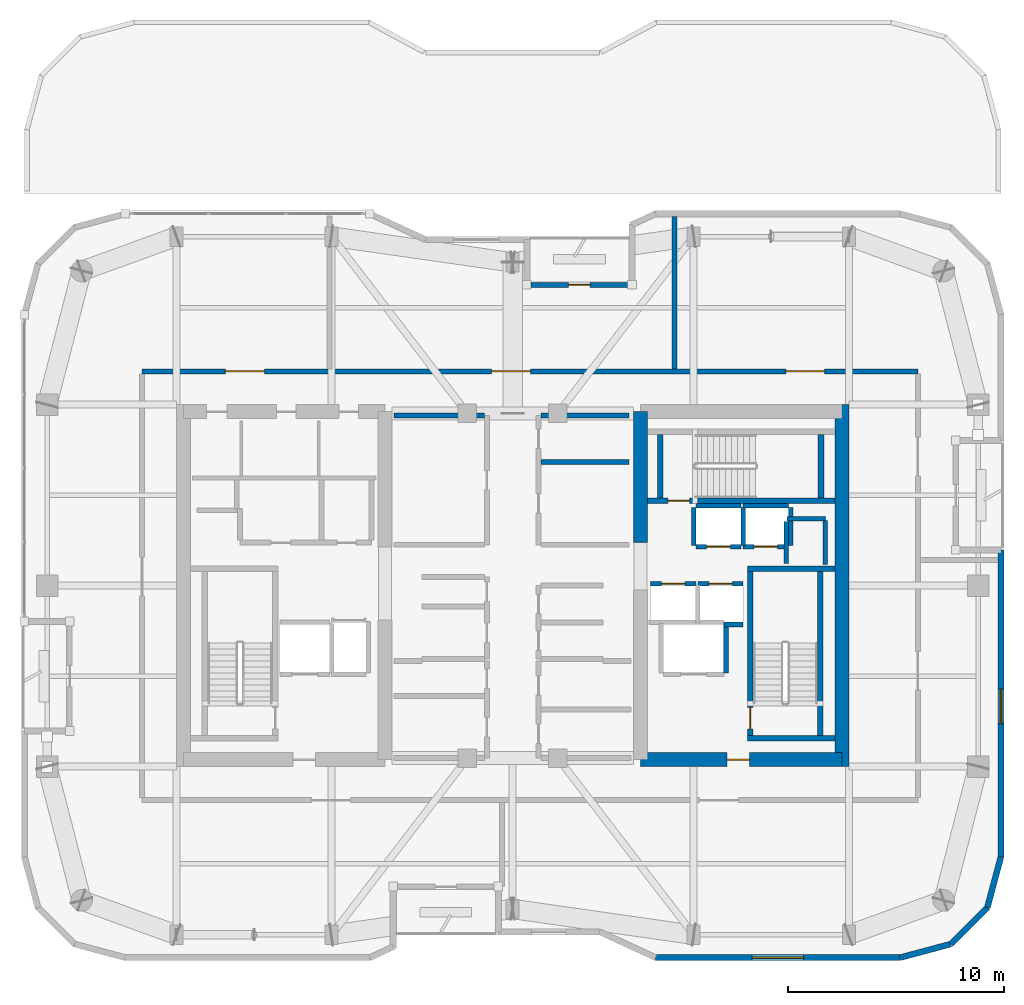
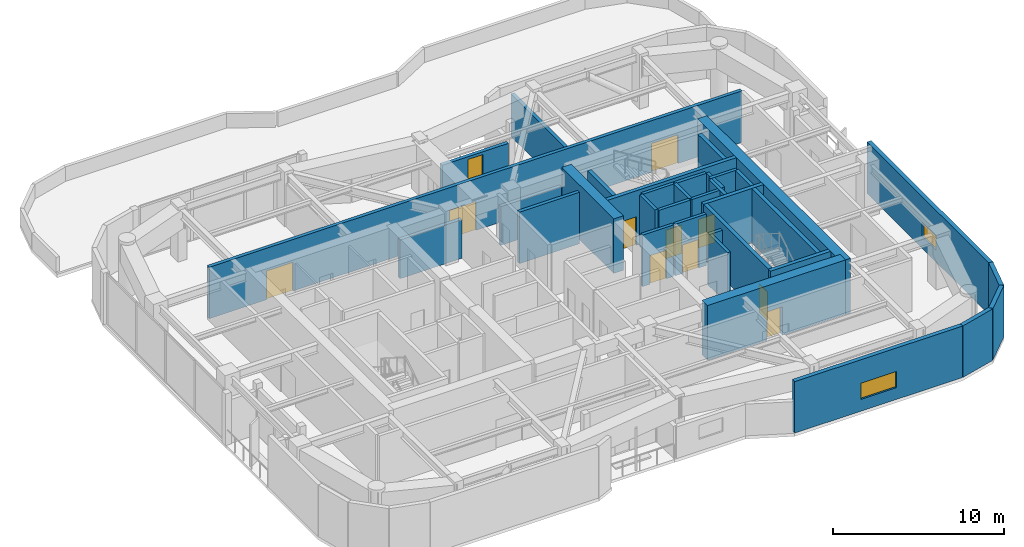
# One storey, part 12 of 16: 35 walls, 11 doors, 2 windows, 13 openings.
"""IFC4 building model written with IfcOpenShell, lengths in metres."""

import ifcopenshell
import ifcopenshell.guid

model = None  # the IFC model being written
_history = None  # IfcOwnerHistory: only IFC2X3 demands one
_inside = {}  # id of a spatial element -> (the spatial element, [elements in it])
_under = {}  # id of a project, library or spatial element -> (it, [spatial elements below it])
_declared = {}  # id of a project -> (the project, [libraries it declares])
_typed = {}  # id of a type object -> (the type object, [elements of that type])
_made_of = {}  # id of a material, layer set ... -> (it, [elements and type objects made of it])


def new_model(schema):
    """Start an empty IFC model of exactly this schema.

    Asked for "IFC4X3", IfcOpenShell would pick the latest addendum, in which some entities
    have other attributes; the version numbers below select the first issue.
    IFC2X3 requires an IfcOwnerHistory on every rooted entity: one is made here for all.
    """
    global model, _history
    if schema == "IFC4X3":
        model = ifcopenshell.file(schema_version=(4, 3, 0, 0))
    else:
        model = ifcopenshell.file(schema=schema)
    _inside.clear()
    _under.clear()
    _declared.clear()
    _typed.clear()
    _made_of.clear()
    _history = None
    if model.schema == "IFC2X3":
        org = make("IfcOrganization", Name="unknown")
        user = make(
            "IfcPersonAndOrganization",
            ThePerson=make("IfcPerson", FamilyName="unknown"),
            TheOrganization=org,
        )
        app = make(
            "IfcApplication",
            ApplicationDeveloper=org,
            Version="unknown",
            ApplicationFullName="unknown",
            ApplicationIdentifier="unknown",
        )
        _history = make(
            "IfcOwnerHistory",
            OwningUser=user,
            OwningApplication=app,
            ChangeAction="ADDED",
            CreationDate=0,
        )
    return model


def make(cls, **values):
    """One entity of the class cls with the attributes given. An attribute that is None is left unset."""
    return model.create_entity(
        cls, **{name: value for name, value in values.items() if value is not None}
    )


def rooted(cls, **values):
    """An entity with a GlobalId (a new one), such as an element, a storey or a relation."""
    return make(cls, GlobalId=ifcopenshell.guid.new(), OwnerHistory=_history, **values)


def si_unit(unit_type, name, prefix=None):
    """IfcSIUnit, for example si_unit("LENGTHUNIT", "METRE", prefix="MILLI")."""
    return make("IfcSIUnit", UnitType=unit_type, Prefix=prefix, Name=name)


def assignment(units):
    """IfcUnitAssignment: the units of a project."""
    return None if units is None else make("IfcUnitAssignment", Units=units)


def point(xyz):
    """IfcCartesianPoint."""
    return None if xyz is None else make("IfcCartesianPoint", Coordinates=xyz)


def direction(xyz):
    """IfcDirection."""
    return None if xyz is None else make("IfcDirection", DirectionRatios=xyz)


def frame(location, z_axis=None, x_axis=None):
    """IfcAxis2Placement3D, a coordinate frame: its origin and axes. An axis left out is left unset."""
    return make(
        "IfcAxis2Placement3D",
        Location=point(location),
        Axis=direction(z_axis),
        RefDirection=direction(x_axis),
    )


def frame_2d(location, x_axis=None):
    """IfcAxis2Placement2D, a coordinate frame in the plane: its origin and x axis."""
    return make(
        "IfcAxis2Placement2D", Location=point(location), RefDirection=direction(x_axis)
    )


def origin():
    """The frame at (0, 0, 0) with its axes left unset."""
    return frame((0.0, 0.0, 0.0))


def place(relative_to, where):
    """IfcLocalPlacement: puts the frame where relative to a parent placement (None: the world)."""
    return make(
        "IfcLocalPlacement", PlacementRelTo=relative_to, RelativePlacement=where
    )


def context(
    kind, dimensions, precision=None, world=None, true_north=None, identifier=None
):
    """IfcGeometricRepresentationContext, for example the 3D "Model" context."""
    return make(
        "IfcGeometricRepresentationContext",
        ContextIdentifier=identifier,
        ContextType=kind,
        CoordinateSpaceDimension=dimensions,
        Precision=precision,
        WorldCoordinateSystem=world,
        TrueNorth=true_north,
    )


def subcontext(parent, identifier, kind, view, scale=None):
    """IfcGeometricRepresentationSubContext, for example "Body" below "Model"."""
    return make(
        "IfcGeometricRepresentationSubContext",
        ContextIdentifier=identifier,
        ContextType=kind,
        ParentContext=parent,
        TargetScale=scale,
        TargetView=view,
    )


def project(units=None, contexts=None):
    """IfcProject with its units and contexts."""
    return rooted(
        "IfcProject",
        Name="project",
        RepresentationContexts=contexts,
        UnitsInContext=assignment(units),
    )


def spatial(cls, under=None, at=None, **own):
    """A site, building, storey or space (cls), placed at a placement, below another one or the project."""
    s = rooted(cls, ObjectPlacement=at, **own)
    if under is not None:
        _under.setdefault(under.id(), (under, []))[1].append(s)
    return s


def profile(cls, at=None, kind="AREA", **sizes):
    """A parametric profile (cls). Its sizes go by their IFC names, for example OverallWidth=200.0."""
    return make(cls, ProfileType=kind, Position=at, **sizes)


def rectangle(**sizes):
    """IfcRectangleProfileDef."""
    return profile("IfcRectangleProfileDef", **sizes)


def extrude(swept, where, along, depth):
    """IfcExtrudedAreaSolid: the profile swept, set in the frame where, extruded along a direction by depth."""
    return make(
        "IfcExtrudedAreaSolid",
        SweptArea=swept,
        Position=where,
        ExtrudedDirection=direction(along),
        Depth=depth,
    )


def shape(context_of_items, identifier, shape_type, items):
    """IfcShapeRepresentation: the items that make up one representation, for example the "Body"."""
    return make(
        "IfcShapeRepresentation",
        ContextOfItems=context_of_items,
        RepresentationIdentifier=identifier,
        RepresentationType=shape_type,
        Items=items,
    )


def material(Name=None, Category=None):
    """IfcMaterial."""
    return make("IfcMaterial", Name=Name, Category=Category)


def layer(
    of_material, thickness, ventilated=None, Name=None, Category=None, Priority=None
):
    """IfcMaterialLayer: one layer of a wall or slab, of a material (None: an air gap)."""
    return make(
        "IfcMaterialLayer",
        Material=of_material,
        LayerThickness=thickness,
        IsVentilated=ventilated,
        Name=Name,
        Category=Category,
        Priority=Priority,
    )


def layer_set(layers, Name=None):
    """IfcMaterialLayerSet."""
    return make("IfcMaterialLayerSet", MaterialLayers=layers, LayerSetName=Name)


def made_of(thing, what):
    """Note that an element or type object is made of a material, layer set ...; save() writes the relation."""
    if what is not None:
        _made_of.setdefault(what.id(), (what, []))[1].append(thing)
    return thing


def type_object(cls, material=None, **own):
    """A type object (cls), such as IfcWallType, which elements share."""
    return made_of(rooted(cls, **own), material)


def element(
    cls,
    number,
    at=None,
    inside=None,
    cuts=None,
    type_object=None,
    material=None,
    context=None,
    identifier="Body",
    shape_type=None,
    held_by="IfcProductDefinitionShape",
    body=None,
    shapes=None,
    **own,
):
    """One element of the class cls, such as IfcWall. Its Tag is "e" and its number.

    at: its placement. inside: the storey or other place that contains it. cuts: it is an
    opening in that element (IfcRelVoidsElement). A single representation is given by context,
    identifier, shape_type and body (its items); several are given by shapes. held_by: the class
    of the entity that holds the representations. save() writes the other relations.
    """
    e = rooted(cls, Tag="e%d" % number, ObjectPlacement=at, **own)
    if body is not None:
        shapes = [shape(context, identifier, shape_type, body)]
    if shapes is not None:
        e.Representation = make(held_by, Representations=shapes)
    if inside is not None:
        _inside.setdefault(inside.id(), (inside, []))[1].append(e)
    if cuts is not None:
        rooted(
            "IfcRelVoidsElement", RelatingBuildingElement=cuts, RelatedOpeningElement=e
        )
    if type_object is not None:
        _typed.setdefault(type_object.id(), (type_object, []))[1].append(e)
    return made_of(e, material)


def fill(opening, filler):
    """IfcRelFillsElement: the door or window that sits in an opening."""
    return rooted(
        "IfcRelFillsElement",
        RelatingOpeningElement=opening,
        RelatedBuildingElement=filler,
    )


def aggregate(whole, parts):
    """IfcRelAggregates: a whole, such as a stair, and the parts it consists of."""
    return rooted("IfcRelAggregates", RelatingObject=whole, RelatedObjects=parts)


def save(model, path):
    """Write the relations noted so far, then the file.

    IfcRelAggregates (storeys below a building ...), IfcRelContainedInSpatialStructure (elements
    in a storey), IfcRelDefinesByType, IfcRelAssociatesMaterial and IfcRelDeclares: one each for
    every whole, place, type object, material and project.
    """
    for whole, parts in _under.values():
        aggregate(whole, parts)
    for where, things in _inside.values():
        rooted(
            "IfcRelContainedInSpatialStructure",
            RelatedElements=things,
            RelatingStructure=where,
        )
    for kind, things in _typed.values():
        rooted("IfcRelDefinesByType", RelatedObjects=things, RelatingType=kind)
    for what, things in _made_of.values():
        rooted("IfcRelAssociatesMaterial", RelatedObjects=things, RelatingMaterial=what)
    for by, libraries in _declared.values():
        rooted("IfcRelDeclares", RelatingContext=by, RelatedDefinitions=libraries)
    model.write(path)


model = new_model("IFC4")

# Units and contexts
model_context = context("Model", 3, precision=1e-05, world=origin(), true_north=direction((0.0, 1.0)))
body_context = subcontext(model_context, "Body", "Model", "MODEL_VIEW")
ifc_project = project(units=[si_unit("LENGTHUNIT", "METRE"), si_unit("AREAUNIT", "SQUARE_METRE"), si_unit("VOLUMEUNIT", "CUBIC_METRE"), si_unit("PLANEANGLEUNIT", "RADIAN"), si_unit("MASSUNIT", "GRAM", prefix="KILO")], contexts=[model_context])

# Site, building, storey
site_placement = place(None, origin())
site = spatial("IfcSite", under=ifc_project, at=site_placement, CompositionType="ELEMENT")
building_placement = place(site_placement, origin())
building = spatial("IfcBuilding", under=site, at=building_placement, Name="Kiyonajd Concourse Tower", CompositionType="ELEMENT")
storey_placement = place(building_placement, frame((0.0, 0.0, 255.0)))
storey = spatial("IfcBuildingStorey", under=building, at=storey_placement, Name="L64", CompositionType="ELEMENT", Elevation=255.0)

# Walls
ifc_material_1 = material(Name="Concrete C60/75", Category="concrete")
ifc_layer_1 = layer(ifc_material_1, 0.64990234375)
ifc_layer_set_1 = layer_set([ifc_layer_1], Name="Concrete C60/75")
wall_type_1 = type_object("IfcWallType", Name="WL-CORE-650", PredefinedType="SHEAR", material=ifc_layer_set_1)
wall_1_placement = place(storey_placement, frame((53.925048828125, 38.0, 0.0), z_axis=(0.0, 0.0, 1.0), x_axis=(0.0, 1.0, 0.0)))
element("IfcWall", 1, at=wall_1_placement, inside=storey, type_object=wall_type_1, Name="L64 East Core Inner North Shear Wall", PredefinedType="SHEAR", context=body_context, shape_type="SweptSolid", body=[
    extrude(rectangle(XDim=6.074951171875, YDim=0.64990234375, at=frame_2d((3.03759765625, 0.0))), origin(), (0.0, 0.0, 1.0), 3.89990234375),
])
wall_2_placement = place(storey_placement, frame((63.27490234375, 27.60009765625, 0.0), z_axis=(0.0, 0.0, 1.0), x_axis=(0.0, 1.0, 0.0)))
element("IfcWall", 2, at=wall_2_placement, inside=storey, type_object=wall_type_1, Name="L64 East Core Outer Shear Wall", PredefinedType="SHEAR", context=body_context, shape_type="SweptSolid", body=[
    extrude(rectangle(XDim=16.7998046875, YDim=0.64990234375, at=frame_2d((8.39990234375, 0.0))), origin(), (0.0, 0.0, 1.0), 3.89990234375),
])

# Wall, opening, door
wall_3_placement = place(storey_placement, frame((53.925048828125, 27.925048828125, 0.0), z_axis=(0.0, 0.0, 1.0), x_axis=(1.0, 0.0, 0.0)))
wall_3 = element("IfcWall", 3, at=wall_3_placement, inside=storey, type_object=wall_type_1, Name="L64 East Core South Shear Wall", PredefinedType="SHEAR", context=body_context, shape_type="SweptSolid", body=[
    extrude(rectangle(XDim=9.349853515625, YDim=0.64990234375, at=frame_2d((4.6748046875, 0.0))), origin(), (0.0, 0.0, 1.0), 3.89990234375),
])
opening_1_placement = place(wall_3_placement, frame((4.02490234375, 0.0, 0.0)))
opening_1 = element("IfcOpeningElement", 4, at=opening_1_placement, cuts=wall_3, Name="Opening DF5", PredefinedType="OPENING", context=body_context, shape_type="SweptSolid", body=[
    extrude(rectangle(XDim=1.050048828125, YDim=2.0400390625, at=frame_2d((0.52490234375, 1.02001953125))), frame((0.0, 0.3349609375, 0.0), z_axis=(0.0, -1.0, 0.0), x_axis=(1.0, 0.0, 0.0)), (0.0, 0.0, 1.0), 0.669921875),
])
ifc_material_2 = material(Name="Brushed Stainless Steel Cab Assembly", Category="steel")
door_type_1 = type_object("IfcDoorType", Name="DR-FD45-1050", OperationType="NOTDEFINED", PredefinedType="DOOR", material=ifc_material_2)
door_1_placement = place(opening_1_placement, origin())
door_1 = element("IfcDoor", 5, at=door_1_placement, inside=storey, type_object=door_type_1, Name="L64 Firefighting Lift Lobby E Smoke Door", OperationType="SINGLE_SWING_RIGHT", OverallHeight=2.0400390625, OverallWidth=1.050048828125, PredefinedType="DOOR", context=body_context, shape_type="SweptSolid", body=[
    extrude(rectangle(XDim=1.050048828125, YDim=2.0400390625, at=frame_2d((0.52490234375, 1.02001953125))), frame((0.0, 0.02490234375, 0.0), z_axis=(0.0, -1.0, 0.0), x_axis=(1.0, 0.0, 0.0)), (0.0, 0.0, 1.0), 0.050048828125),
])
fill(opening_1, door_1)

# Wall, opening, window
ifc_material_3 = material(Name="Precast concrete C50/60", Category="concrete")
ifc_layer_2 = layer(ifc_material_3, 0.280029296875)
ifc_layer_set_2 = layer_set([ifc_layer_2], Name="Precast concrete C50/60")
wall_type_2 = type_object("IfcWallType", Name="WL-EXT-280", PredefinedType="SOLIDWALL", material=ifc_layer_set_2)
wall_4_placement = place(storey_placement, frame((70.659912109375, 37.659912109375, 0.0), z_axis=(0.0, 0.0, 1.0), x_axis=(0.0, -1.0, 0.0)))
wall_4 = element("IfcWall", 6, at=wall_4_placement, inside=storey, type_object=wall_type_2, Name="L64 Exterior Concrete Frame Wall 24", PredefinedType="SOLIDWALL", context=body_context, shape_type="SweptSolid", body=[
    extrude(rectangle(XDim=14.241455078125, YDim=0.280029296875, at=frame_2d((7.12060546875, 0.0))), origin(), (0.0, 0.0, 1.0), 3.679931640625),
])
opening_2_placement = place(wall_4_placement, frame((6.4560546875, 0.0, 0.85009765625)))
opening_2 = element("IfcOpeningElement", 7, at=opening_2_placement, cuts=wall_4, Name="Opening WN6", PredefinedType="OPENING", context=body_context, shape_type="SweptSolid", body=[
    extrude(rectangle(XDim=1.60009765625, YDim=1.0, at=frame_2d((0.800048828125, 0.5))), frame((0.0, 0.14990234375, 0.0), z_axis=(0.0, -1.0, 0.0), x_axis=(1.0, 0.0, 0.0)), (0.0, 0.0, 1.0), 0.300048828125),
])
ifc_material_4 = material(Name="Double Low-E Insulated Glass", Category="glass")
window_type_1 = type_object("IfcWindowType", Name="WN-VIS-1600x1000", PartitioningType="SINGLE_PANEL", PredefinedType="WINDOW", material=ifc_material_4)
window_1_placement = place(opening_2_placement, origin())
window_1 = element("IfcWindow", 8, at=window_1_placement, inside=storey, type_object=window_type_1, Name="L64 Modular Facade Vision Window 24", OverallHeight=1.0, OverallWidth=1.60009765625, PartitioningType="SINGLE_PANEL", PredefinedType="WINDOW", context=body_context, shape_type="SweptSolid", body=[
    extrude(rectangle(XDim=1.60009765625, YDim=1.0, at=frame_2d((0.800048828125, 0.5))), frame((0.0, 0.030029296875, 0.0), z_axis=(0.0, -1.0, 0.0), x_axis=(1.0, 0.0, 0.0)), (0.0, 0.0, 1.0), 0.06005859375),
])
fill(opening_2, window_1)

# Walls
wall_5_placement = place(storey_placement, frame((70.659912109375, 23.41845703125, 0.0), z_axis=(0.0, 0.0, 1.0), x_axis=(-0.258751159445, -0.965944013639, 0.0)))
element("IfcWall", 9, at=wall_5_placement, inside=storey, type_object=wall_type_2, Name="L64 Exterior Concrete Frame Wall 25", PredefinedType="SOLIDWALL", context=body_context, shape_type="SweptSolid", body=[
    extrude(rectangle(XDim=2.4287109375, YDim=0.280029296875, at=frame_2d((1.21435546875, 0.0))), origin(), (0.0, 0.0, 1.0), 3.679931640625),
])
wall_6_placement = place(storey_placement, frame((70.031494140625, 21.072509765625, 0.0), z_axis=(0.0, 0.0, 1.0), x_axis=(-0.707106781187, -0.707106781187, 0.0)))
element("IfcWall", 10, at=wall_6_placement, inside=storey, type_object=wall_type_2, Name="L64 Exterior Concrete Frame Wall 26", PredefinedType="SOLIDWALL", context=body_context, shape_type="SweptSolid", body=[
    extrude(rectangle(XDim=2.409912109375, YDim=0.280029296875, at=frame_2d((1.205078125, 0.0))), origin(), (0.0, 0.0, 1.0), 3.679931640625),
])
wall_7_placement = place(storey_placement, frame((68.327392578125, 19.368408203125, 0.0), z_axis=(0.0, 0.0, 1.0), x_axis=(-0.965937282298, -0.25877628691, 0.0)))
element("IfcWall", 11, at=wall_7_placement, inside=storey, type_object=wall_type_2, Name="L64 Exterior Concrete Frame Wall 27", PredefinedType="SOLIDWALL", context=body_context, shape_type="SweptSolid", body=[
    extrude(rectangle(XDim=2.428466796875, YDim=0.280029296875, at=frame_2d((1.21435546875, 0.0))), origin(), (0.0, 0.0, 1.0), 3.679931640625),
])

# Wall, opening, window
wall_8_placement = place(storey_placement, frame((65.981689453125, 18.739990234375, 0.0), z_axis=(0.0, 0.0, 1.0), x_axis=(-1.0, 0.0, 0.0)))
wall_8 = element("IfcWall", 12, at=wall_8_placement, inside=storey, type_object=wall_type_2, Name="L64 Exterior Concrete Frame Wall 28", PredefinedType="SOLIDWALL", context=body_context, shape_type="SweptSolid", body=[
    extrude(rectangle(XDim=11.35107421875, YDim=0.280029296875, at=frame_2d((5.675537109375, 0.0))), origin(), (0.0, 0.0, 1.0), 3.679931640625),
])
opening_3_placement = place(wall_8_placement, frame((4.47509765625, 0.0, 0.85009765625)))
opening_3 = element("IfcOpeningElement", 13, at=opening_3_placement, cuts=wall_8, Name="Opening WN4", PredefinedType="OPENING", context=body_context, shape_type="SweptSolid", body=[
    extrude(rectangle(XDim=2.39990234375, YDim=1.14990234375, at=frame_2d((1.199951171875, 0.574951171875))), frame((0.0, 0.14990234375, 0.0), z_axis=(0.0, -1.0, 0.0), x_axis=(1.0, 0.0, 0.0)), (0.0, 0.0, 1.0), 0.300048828125),
])
window_type_2 = type_object("IfcWindowType", Name="WN-VIS-2400x1150", PartitioningType="SINGLE_PANEL", PredefinedType="WINDOW", material=ifc_material_4)
window_2_placement = place(opening_3_placement, origin())
window_2 = element("IfcWindow", 14, at=window_2_placement, inside=storey, type_object=window_type_2, Name="L64 Modular Facade Vision Window 28", OverallHeight=1.14990234375, OverallWidth=2.39990234375, PartitioningType="SINGLE_PANEL", PredefinedType="WINDOW", context=body_context, shape_type="SweptSolid", body=[
    extrude(rectangle(XDim=2.39990234375, YDim=1.14990234375, at=frame_2d((1.199951171875, 0.574951171875))), frame((0.0, 0.030029296875, 0.0), z_axis=(0.0, -1.0, 0.0), x_axis=(1.0, 0.0, 0.0)), (0.0, 0.0, 1.0), 0.06005859375),
])
fill(opening_3, window_2)

# Walls
ifc_material_5 = material(Name="Gypsum Board on Cold-Formed Steel Stud", Category="steel")
ifc_layer_3 = layer(ifc_material_5, 0.22998046875)
ifc_layer_set_3 = layer_set([ifc_layer_3], Name="Gypsum Board on Cold-Formed Steel Stud")
wall_type_3 = type_object("IfcWallType", Name="WL-FIRE-230", PredefinedType="PARTITIONING", material=ifc_layer_set_3)
wall_9_placement = place(storey_placement, frame((42.5, 43.89990234375, 0.0), z_axis=(0.0, 0.0, 1.0), x_axis=(1.0, 0.0, 0.0)))
element("IfcWall", 15, at=wall_9_placement, inside=storey, type_object=wall_type_3, Name="L64 Interior Partition Wall", PredefinedType="PARTITIONING", context=body_context, shape_type="SweptSolid", body=[
    extrude(rectangle(XDim=4.18310546875, YDim=0.22998046875, at=frame_2d((2.091552734375, 0.0))), origin(), (0.0, 0.0, 1.0), 2.764892578125),
])
wall_10_placement = place(storey_placement, frame((49.31689453125, 43.89990234375, 0.0), z_axis=(0.0, 0.0, 1.0), x_axis=(1.0, 0.0, 0.0)))
element("IfcWall", 16, at=wall_10_placement, inside=storey, type_object=wall_type_3, Name="L64 Interior Partition Wall", PredefinedType="PARTITIONING", context=body_context, shape_type="SweptSolid", body=[
    extrude(rectangle(XDim=4.0830078125, YDim=0.22998046875, at=frame_2d((2.04150390625, 0.0))), origin(), (0.0, 0.0, 1.0), 2.764892578125),
])
wall_11_placement = place(storey_placement, frame((49.31689453125, 41.739990234375, 0.0), z_axis=(0.0, 0.0, 1.0), x_axis=(1.0, 0.0, 0.0)))
element("IfcWall", 17, at=wall_11_placement, inside=storey, type_object=wall_type_3, Name="L64 Interior Partition Wall", PredefinedType="PARTITIONING", context=body_context, shape_type="SweptSolid", body=[
    extrude(rectangle(XDim=4.0830078125, YDim=0.22998046875, at=frame_2d((2.04150390625, 0.0))), origin(), (0.0, 0.0, 1.0), 3.679931640625),
])

# Wall, openings, doors
wall_12_placement = place(storey_placement, frame((30.800048828125, 45.949951171875, 0.0), z_axis=(0.0, 0.0, 1.0), x_axis=(1.0, 0.0, 0.0)))
wall_12 = element("IfcWall", 18, at=wall_12_placement, inside=storey, type_object=wall_type_3, Name="L64 Interior Partition Wall", PredefinedType="PARTITIONING", context=body_context, shape_type="SweptSolid", body=[
    extrude(rectangle(XDim=36.0, YDim=0.22998046875, at=frame_2d((18.0, 0.0))), origin(), (0.0, 0.0, 1.0), 3.679931640625),
])
opening_4_placement = place(wall_12_placement, frame((3.875, 0.0, 0.0)))
opening_4 = element("IfcOpeningElement", 19, at=opening_4_placement, cuts=wall_12, Name="Opening DI3", PredefinedType="OPENING", context=body_context, shape_type="SweptSolid", body=[
    extrude(rectangle(XDim=1.800048828125, YDim=2.06005859375, at=frame_2d((0.89990234375, 1.030029296875))), frame((0.0, 0.125, 0.0), z_axis=(0.0, -1.0, 0.0), x_axis=(1.0, 0.0, 0.0)), (0.0, 0.0, 1.0), 0.25),
])
opening_5_placement = place(wall_12_placement, frame((16.22509765625, 0.0, 0.0)))
opening_5 = element("IfcOpeningElement", 20, at=opening_5_placement, cuts=wall_12, Name="Opening DI3", PredefinedType="OPENING", context=body_context, shape_type="SweptSolid", body=[
    extrude(rectangle(XDim=1.800048828125, YDim=2.06005859375, at=frame_2d((0.89990234375, 1.030029296875))), frame((0.0, 0.125, 0.0), z_axis=(0.0, -1.0, 0.0), x_axis=(1.0, 0.0, 0.0)), (0.0, 0.0, 1.0), 0.25),
])
opening_6_placement = place(wall_12_placement, frame((29.875, 0.0, 0.0)))
opening_6 = element("IfcOpeningElement", 21, at=opening_6_placement, cuts=wall_12, Name="Opening DI3", PredefinedType="OPENING", context=body_context, shape_type="SweptSolid", body=[
    extrude(rectangle(XDim=1.800048828125, YDim=2.06005859375, at=frame_2d((0.89990234375, 1.030029296875))), frame((0.0, 0.125, 0.0), z_axis=(0.0, -1.0, 0.0), x_axis=(1.0, 0.0, 0.0)), (0.0, 0.0, 1.0), 0.25),
])
door_type_2 = type_object("IfcDoorType", Name="DR-PAIR-1800", OperationType="DOUBLE_DOOR_SINGLE_SWING", PredefinedType="DOOR", material=ifc_material_2)
door_2_placement = place(opening_4_placement, origin())
door_2 = element("IfcDoor", 22, at=door_2_placement, inside=storey, type_object=door_type_2, Name="L64 Interior Door", OperationType="DOUBLE_DOOR_SINGLE_SWING", OverallHeight=2.06005859375, OverallWidth=1.800048828125, PredefinedType="DOOR", context=body_context, shape_type="SweptSolid", body=[
    extrude(rectangle(XDim=1.800048828125, YDim=2.06005859375, at=frame_2d((0.89990234375, 1.030029296875))), frame((0.0, 0.02490234375, 0.0), z_axis=(0.0, -1.0, 0.0), x_axis=(1.0, 0.0, 0.0)), (0.0, 0.0, 1.0), 0.050048828125),
])
fill(opening_4, door_2)
door_3_placement = place(opening_5_placement, origin())
door_3 = element("IfcDoor", 23, at=door_3_placement, inside=storey, type_object=door_type_2, Name="L64 Interior Door", OperationType="DOUBLE_DOOR_SINGLE_SWING", OverallHeight=2.06005859375, OverallWidth=1.800048828125, PredefinedType="DOOR", context=body_context, shape_type="SweptSolid", body=[
    extrude(rectangle(XDim=1.800048828125, YDim=2.06005859375, at=frame_2d((0.89990234375, 1.030029296875))), frame((0.0, 0.02490234375, 0.0), z_axis=(0.0, -1.0, 0.0), x_axis=(1.0, 0.0, 0.0)), (0.0, 0.0, 1.0), 0.050048828125),
])
fill(opening_5, door_3)
door_4_placement = place(opening_6_placement, origin())
door_4 = element("IfcDoor", 24, at=door_4_placement, inside=storey, type_object=door_type_2, Name="L64 Interior Door", OperationType="DOUBLE_DOOR_SINGLE_SWING", OverallHeight=2.06005859375, OverallWidth=1.800048828125, PredefinedType="DOOR", context=body_context, shape_type="SweptSolid", body=[
    extrude(rectangle(XDim=1.800048828125, YDim=2.06005859375, at=frame_2d((0.89990234375, 1.030029296875))), frame((0.0, 0.02490234375, 0.0), z_axis=(0.0, -1.0, 0.0), x_axis=(1.0, 0.0, 0.0)), (0.0, 0.0, 1.0), 0.050048828125),
])
fill(opening_6, door_4)

# Wall
wall_13_placement = place(storey_placement, frame((55.5, 46.06689453125, 0.0), z_axis=(0.0, 0.0, 1.0), x_axis=(0.0, 1.0, 0.0)))
element("IfcWall", 25, at=wall_13_placement, inside=storey, type_object=wall_type_3, Name="L64 Interior Partition Wall", PredefinedType="PARTITIONING", context=body_context, shape_type="SweptSolid", body=[
    extrude(rectangle(XDim=7.05810546875, YDim=0.22998046875, at=frame_2d((3.529052734375, 0.0))), origin(), (0.0, 0.0, 1.0), 3.04296875),
])

# Wall, opening, door
ifc_layer_4 = layer(ifc_material_3, 0.239990234375)
ifc_layer_set_4 = layer_set([ifc_layer_4], Name="Precast concrete C50/60")
wall_type_4 = type_object("IfcWallType", Name="WL-LOG-240", PredefinedType="SOLIDWALL", material=ifc_layer_set_4)
wall_14_placement = place(storey_placement, frame((48.85498046875, 49.9599609375, 0.0), z_axis=(0.0, 0.0, 1.0), x_axis=(1.0, 0.0, 0.0)))
wall_14 = element("IfcWall", 26, at=wall_14_placement, inside=storey, type_object=wall_type_4, Name="L64 Recessed Loggia Thermal Wall LOG-N", PredefinedType="SOLIDWALL", context=body_context, shape_type="SweptSolid", body=[
    extrude(rectangle(XDim=4.489990234375, YDim=0.239990234375, at=frame_2d((2.2451171875, 0.0))), origin(), (0.0, 0.0, 1.0), 2.215087890625),
])
opening_7_placement = place(wall_14_placement, frame((1.7451171875, 0.0, 0.0)))
opening_7 = element("IfcOpeningElement", 27, at=opening_7_placement, cuts=wall_14, Name="Opening DL1", PredefinedType="OPENING", context=body_context, shape_type="SweptSolid", body=[
    extrude(rectangle(XDim=1.0, YDim=2.02001953125, at=frame_2d((0.5, 1.010009765625))), frame((0.0, 0.1298828125, 0.0), z_axis=(0.0, -1.0, 0.0), x_axis=(1.0, 0.0, 0.0)), (0.0, 0.0, 1.0), 0.260009765625),
])
ifc_material_6 = material(Name="Thermally Broken Anodised Aluminium", Category="aluminium")
door_type_3 = type_object("IfcDoorType", Name="DR-LOG-1000", OperationType="NOTDEFINED", PredefinedType="DOOR", material=ifc_material_6)
door_5_placement = place(opening_7_placement, origin())
door_5 = element("IfcDoor", 28, at=door_5_placement, inside=storey, type_object=door_type_3, Name="L64 Engawa Loggia Access Door LOG-N", OperationType="SINGLE_SWING_RIGHT", OverallHeight=2.02001953125, OverallWidth=1.0, PredefinedType="DOOR", context=body_context, shape_type="SweptSolid", body=[
    extrude(rectangle(XDim=1.0, YDim=2.02001953125, at=frame_2d((0.5, 1.010009765625))), frame((0.0, 0.02490234375, 0.0), z_axis=(0.0, -1.0, 0.0), x_axis=(1.0, 0.0, 0.0)), (0.0, 0.0, 1.0), 0.050048828125),
])
fill(opening_7, door_5)

# Walls
ifc_layer_5 = layer(ifc_material_5, 0.2099609375)
ifc_layer_set_5 = layer_set([ifc_layer_5], Name="Gypsum Board on Cold-Formed Steel Stud")
wall_type_5 = type_object("IfcWallType", Name="WL-SHAFT-210", PredefinedType="PARTITIONING", material=ifc_layer_set_5)
wall_15_placement = place(storey_placement, frame((60.719970703125, 39.10009765625, 0.0), z_axis=(0.0, 0.0, 1.0), x_axis=(1.0, 0.0, 0.0)))
element("IfcWall", 29, at=wall_15_placement, inside=storey, type_object=wall_type_5, Name="L64 Shaft Enclosure Wall", PredefinedType="PARTITIONING", context=body_context, shape_type="SweptSolid", body=[
    extrude(rectangle(XDim=1.800048828125, YDim=0.2099609375, at=frame_2d((0.89990234375, 0.0))), origin(), (0.0, 0.0, 1.0), 3.679931640625),
])
wall_16_placement = place(storey_placement, frame((60.699951171875, 37.02001953125, 0.0), z_axis=(0.0, 0.0, 1.0), x_axis=(0.0, 1.0, 0.0)))
element("IfcWall", 30, at=wall_16_placement, inside=storey, type_object=wall_type_5, Name="L64 Shaft Enclosure Wall", PredefinedType="PARTITIONING", context=body_context, shape_type="SweptSolid", body=[
    extrude(rectangle(XDim=1.9599609375, YDim=0.2099609375, at=frame_2d((0.97998046875, 0.0))), origin(), (0.0, 0.0, 1.0), 3.679931640625),
])
wall_17_placement = place(storey_placement, frame((62.5, 36.97998046875, 0.0), z_axis=(0.0, 0.0, 1.0), x_axis=(0.0, 1.0, 0.0)))
element("IfcWall", 31, at=wall_17_placement, inside=storey, type_object=wall_type_5, Name="L64 Shaft Enclosure Wall", PredefinedType="PARTITIONING", context=body_context, shape_type="SweptSolid", body=[
    extrude(rectangle(XDim=2.0400390625, YDim=0.2099609375, at=frame_2d((1.02001953125, 0.0))), origin(), (0.0, 0.0, 1.0), 3.679931640625),
])
wall_18_placement = place(storey_placement, frame((57.89990234375, 31.9599609375, 0.0), z_axis=(0.0, 0.0, 1.0), x_axis=(0.0, 1.0, 0.0)))
element("IfcWall", 32, at=wall_18_placement, inside=storey, type_object=wall_type_5, Name="L64 Shaft Enclosure Wall", PredefinedType="PARTITIONING", context=body_context, shape_type="SweptSolid", body=[
    extrude(rectangle(XDim=2.280029296875, YDim=0.2099609375, at=frame_2d((1.14013671875, 0.0))), origin(), (0.0, 0.0, 1.0), 3.679931640625),
])

# Wall, opening, door
wall_19_placement = place(storey_placement, frame((54.39990234375, 36.10009765625, 0.0), z_axis=(0.0, 0.0, 1.0), x_axis=(1.0, 0.0, 0.0)))
wall_19 = element("IfcWall", 33, at=wall_19_placement, inside=storey, type_object=wall_type_5, Name="L64 Shaft Enclosure Wall", PredefinedType="PARTITIONING", context=body_context, shape_type="SweptSolid", body=[
    extrude(rectangle(XDim=2.10009765625, YDim=0.2099609375, at=frame_2d((1.050048828125, 0.0))), origin(), (0.0, 0.0, 1.0), 3.679931640625),
])
opening_8_placement = place(wall_19_placement, frame((0.5, 0.0, 0.0)))
opening_8 = element("IfcOpeningElement", 34, at=opening_8_placement, cuts=wall_19, Name="Opening LD1", PredefinedType="OPENING", context=body_context, shape_type="SweptSolid", body=[
    extrude(rectangle(XDim=1.10009765625, YDim=2.0400390625, at=frame_2d((0.550048828125, 1.02001953125))), frame((0.0, 0.114990234375, 0.0), z_axis=(0.0, -1.0, 0.0), x_axis=(1.0, 0.0, 0.0)), (0.0, 0.0, 1.0), 0.22998046875),
])
door_type_4 = type_object("IfcDoorType", Name="DR-LD-1100", OperationType="DOUBLE_DOOR_SLIDING", PredefinedType="DOOR", material=ifc_material_2)
door_6_placement = place(opening_8_placement, origin())
door_6 = element("IfcDoor", 35, at=door_6_placement, inside=storey, type_object=door_type_4, Name="L64 Lift PL-H1 Sliding Landing Door", OperationType="DOUBLE_DOOR_SLIDING", OverallHeight=2.0400390625, OverallWidth=1.10009765625, PredefinedType="DOOR", context=body_context, shape_type="SweptSolid", body=[
    extrude(rectangle(XDim=1.10009765625, YDim=2.0400390625, at=frame_2d((0.550048828125, 1.02001953125))), frame((0.0, 0.02490234375, 0.0), z_axis=(0.0, -1.0, 0.0), x_axis=(1.0, 0.0, 0.0)), (0.0, 0.0, 1.0), 0.050048828125),
])
fill(opening_8, door_6)

wall_20_placement = place(storey_placement, frame((56.60009765625, 36.10009765625, 0.0), z_axis=(0.0, 0.0, 1.0), x_axis=(1.0, 0.0, 0.0)))
wall_20 = element("IfcWall", 36, at=wall_20_placement, inside=storey, type_object=wall_type_5, Name="L64 Shaft Enclosure Wall", PredefinedType="PARTITIONING", context=body_context, shape_type="SweptSolid", body=[
    extrude(rectangle(XDim=2.099853515625, YDim=0.2099609375, at=frame_2d((1.0498046875, 0.0))), origin(), (0.0, 0.0, 1.0), 3.679931640625),
])
opening_9_placement = place(wall_20_placement, frame((0.5, 0.0, 0.0)))
opening_9 = element("IfcOpeningElement", 37, at=opening_9_placement, cuts=wall_20, Name="Opening LD1", PredefinedType="OPENING", context=body_context, shape_type="SweptSolid", body=[
    extrude(rectangle(XDim=1.10009765625, YDim=2.0400390625, at=frame_2d((0.550048828125, 1.02001953125))), frame((0.0, 0.114990234375, 0.0), z_axis=(0.0, -1.0, 0.0), x_axis=(1.0, 0.0, 0.0)), (0.0, 0.0, 1.0), 0.22998046875),
])
door_7_placement = place(opening_9_placement, origin())
door_7 = element("IfcDoor", 38, at=door_7_placement, inside=storey, type_object=door_type_4, Name="L64 Lift PL-H2 Sliding Landing Door", OperationType="DOUBLE_DOOR_SLIDING", OverallHeight=2.0400390625, OverallWidth=1.10009765625, PredefinedType="DOOR", context=body_context, shape_type="SweptSolid", body=[
    extrude(rectangle(XDim=1.10009765625, YDim=2.0400390625, at=frame_2d((0.550048828125, 1.02001953125))), frame((0.0, 0.02490234375, 0.0), z_axis=(0.0, -1.0, 0.0), x_axis=(1.0, 0.0, 0.0)), (0.0, 0.0, 1.0), 0.050048828125),
])
fill(opening_9, door_7)

# Wall
wall_21_placement = place(storey_placement, frame((57.800048828125, 34.199951171875, 0.0), z_axis=(0.0, 0.0, 1.0), x_axis=(1.0, 0.0, 0.0)))
element("IfcWall", 39, at=wall_21_placement, inside=storey, type_object=wall_type_5, Name="L64 Shaft Enclosure Wall", PredefinedType="PARTITIONING", context=body_context, shape_type="SweptSolid", body=[
    extrude(rectangle(XDim=0.89990234375, YDim=0.2099609375, at=frame_2d((0.449951171875, 0.0))), origin(), (0.0, 0.0, 1.0), 3.679931640625),
])

# Wall, opening, door
wall_22_placement = place(storey_placement, frame((56.5, 37.800048828125, 0.0), z_axis=(0.0, 0.0, 1.0), x_axis=(1.0, 0.0, 0.0)))
wall_22 = element("IfcWall", 40, at=wall_22_placement, inside=storey, type_object=wall_type_5, Name="L64 Shaft Enclosure Wall", PredefinedType="PARTITIONING", context=body_context, shape_type="SweptSolid", body=[
    extrude(rectangle(XDim=2.10009765625, YDim=0.2099609375, at=frame_2d((1.050048828125, 0.0))), origin(), (0.0, 0.0, 1.0), 3.679931640625),
])
opening_10_placement = place(wall_22_placement, frame((0.5, 0.0, 0.0)))
opening_10 = element("IfcOpeningElement", 41, at=opening_10_placement, cuts=wall_22, Name="Opening LD1", PredefinedType="OPENING", context=body_context, shape_type="SweptSolid", body=[
    extrude(rectangle(XDim=1.10009765625, YDim=2.0400390625, at=frame_2d((0.550048828125, 1.02001953125))), frame((0.0, 0.114990234375, 0.0), z_axis=(0.0, -1.0, 0.0), x_axis=(1.0, 0.0, 0.0)), (0.0, 0.0, 1.0), 0.22998046875),
])
door_8_placement = place(opening_10_placement, origin())
door_8 = element("IfcDoor", 42, at=door_8_placement, inside=storey, type_object=door_type_4, Name="L64 Lift PL-H3 Sliding Landing Door", OperationType="DOUBLE_DOOR_SLIDING", OverallHeight=2.0400390625, OverallWidth=1.10009765625, PredefinedType="DOOR", context=body_context, shape_type="SweptSolid", body=[
    extrude(rectangle(XDim=1.10009765625, YDim=2.0400390625, at=frame_2d((0.550048828125, 1.02001953125))), frame((0.0, 0.02490234375, 0.0), z_axis=(0.0, -1.0, 0.0), x_axis=(1.0, 0.0, 0.0)), (0.0, 0.0, 1.0), 0.050048828125),
])
fill(opening_10, door_8)

# Walls
wall_23_placement = place(storey_placement, frame((56.5, 39.699951171875, 0.0), z_axis=(0.0, 0.0, 1.0), x_axis=(1.0, 0.0, 0.0)))
element("IfcWall", 43, at=wall_23_placement, inside=storey, type_object=wall_type_5, Name="L64 Shaft Enclosure Wall", PredefinedType="PARTITIONING", context=body_context, shape_type="SweptSolid", body=[
    extrude(rectangle(XDim=2.10009765625, YDim=0.2099609375, at=frame_2d((1.050048828125, 0.0))), origin(), (0.0, 0.0, 1.0), 3.679931640625),
])
for number, where, z_axis, x_axis, name in (
    (44, (56.39990234375, 37.860107421875, 0.0), (0.0, 0.0, 1.0), (0.0, 1.0, 0.0), "L64 Shaft Enclosure Wall"),
    (45, (58.699951171875, 37.860107421875, 0.0), (0.0, 0.0, 1.0), (0.0, 1.0, 0.0), "L64 Shaft Enclosure Wall"),
):
    element("IfcWall", number, at=place(storey_placement, frame(where, z_axis=z_axis, x_axis=x_axis)), inside=storey, type_object=wall_type_5, Name=name, PredefinedType="PARTITIONING", context=body_context, shape_type="SweptSolid", body=[
        extrude(rectangle(XDim=1.77978515625, YDim=0.2099609375, at=frame_2d((0.889892578125, 0.0))), origin(), (0.0, 0.0, 1.0), 3.679931640625),
    ])

# Wall, opening, door
wall_24_placement = place(storey_placement, frame((58.699951171875, 37.800048828125, 0.0), z_axis=(0.0, 0.0, 1.0), x_axis=(1.0, 0.0, 0.0)))
wall_24 = element("IfcWall", 46, at=wall_24_placement, inside=storey, type_object=wall_type_5, Name="L64 Shaft Enclosure Wall", PredefinedType="PARTITIONING", context=body_context, shape_type="SweptSolid", body=[
    extrude(rectangle(XDim=2.10009765625, YDim=0.2099609375, at=frame_2d((1.050048828125, 0.0))), origin(), (0.0, 0.0, 1.0), 3.679931640625),
])
opening_11_placement = place(wall_24_placement, frame((0.5, 0.0, 0.0)))
opening_11 = element("IfcOpeningElement", 47, at=opening_11_placement, cuts=wall_24, Name="Opening LD1", PredefinedType="OPENING", context=body_context, shape_type="SweptSolid", body=[
    extrude(rectangle(XDim=1.10009765625, YDim=2.0400390625, at=frame_2d((0.550048828125, 1.02001953125))), frame((0.0, 0.114990234375, 0.0), z_axis=(0.0, -1.0, 0.0), x_axis=(1.0, 0.0, 0.0)), (0.0, 0.0, 1.0), 0.22998046875),
])
door_9_placement = place(opening_11_placement, origin())
door_9 = element("IfcDoor", 48, at=door_9_placement, inside=storey, type_object=door_type_4, Name="L64 Lift PL-H4 Sliding Landing Door", OperationType="DOUBLE_DOOR_SLIDING", OverallHeight=2.0400390625, OverallWidth=1.10009765625, PredefinedType="DOOR", context=body_context, shape_type="SweptSolid", body=[
    extrude(rectangle(XDim=1.10009765625, YDim=2.0400390625, at=frame_2d((0.550048828125, 1.02001953125))), frame((0.0, 0.02490234375, 0.0), z_axis=(0.0, -1.0, 0.0), x_axis=(1.0, 0.0, 0.0)), (0.0, 0.0, 1.0), 0.050048828125),
])
fill(opening_11, door_9)

# Walls
wall_25_placement = place(storey_placement, frame((58.699951171875, 39.699951171875, 0.0), z_axis=(0.0, 0.0, 1.0), x_axis=(1.0, 0.0, 0.0)))
element("IfcWall", 49, at=wall_25_placement, inside=storey, type_object=wall_type_5, Name="L64 Shaft Enclosure Wall", PredefinedType="PARTITIONING", context=body_context, shape_type="SweptSolid", body=[
    extrude(rectangle(XDim=2.10009765625, YDim=0.2099609375, at=frame_2d((1.050048828125, 0.0))), origin(), (0.0, 0.0, 1.0), 3.679931640625),
])
wall_26_placement = place(storey_placement, frame((60.89990234375, 37.860107421875, 0.0), z_axis=(0.0, 0.0, 1.0), x_axis=(0.0, 1.0, 0.0)))
element("IfcWall", 50, at=wall_26_placement, inside=storey, type_object=wall_type_5, Name="L64 Shaft Enclosure Wall", PredefinedType="PARTITIONING", context=body_context, shape_type="SweptSolid", body=[
    extrude(rectangle(XDim=1.77978515625, YDim=0.2099609375, at=frame_2d((0.889892578125, 0.0))), origin(), (0.0, 0.0, 1.0), 3.679931640625),
])
ifc_material_7 = material(Name="Concrete C50/60", Category="concrete")
ifc_layer_6 = layer(ifc_material_7, 0.260009765625)
ifc_layer_set_6 = layer_set([ifc_layer_6], Name="Concrete C50/60")
wall_type_6 = type_object("IfcWallType", Name="WL-STAIR-260", PredefinedType="SHEAR", material=ifc_layer_set_6)
for number, where, z_axis, x_axis, name in (
    (51, (58.889892578125, 28.919921875, 0.0), (0.0, 0.0, 1.0), (1.0, 0.0, 0.0), "L64 Stair ST2 Structural South Wall"),
    (52, (58.889892578125, 36.780029296875, 0.0), (0.0, 0.0, 1.0), (1.0, 0.0, 0.0), "L64 Stair ST2 Structural North Wall"),
):
    element("IfcWall", number, at=place(storey_placement, frame(where, z_axis=z_axis, x_axis=x_axis)), inside=storey, type_object=wall_type_6, Name=name, PredefinedType="SHEAR", context=body_context, shape_type="SweptSolid", body=[
        extrude(rectangle(XDim=4.06005859375, YDim=0.260009765625, at=frame_2d((2.030029296875, 0.0))), origin(), (0.0, 0.0, 1.0), 3.89990234375),
    ])

# Wall, opening, door
wall_27_placement = place(storey_placement, frame((59.02001953125, 29.050048828125, 0.0), z_axis=(0.0, 0.0, 1.0), x_axis=(0.0, 1.0, 0.0)))
wall_27 = element("IfcWall", 53, at=wall_27_placement, inside=storey, type_object=wall_type_6, Name="L64 Stair ST2 Structural West Wall", PredefinedType="SHEAR", context=body_context, shape_type="SweptSolid", body=[
    extrude(rectangle(XDim=7.599853515625, YDim=0.260009765625, at=frame_2d((3.7998046875, 0.0))), origin(), (0.0, 0.0, 1.0), 3.89990234375),
])
opening_12_placement = place(wall_27_placement, frame((0.300048828125, 0.0, 0.0)))
opening_12 = element("IfcOpeningElement", 54, at=opening_12_placement, cuts=wall_27, Name="Opening DF1", PredefinedType="OPENING", context=body_context, shape_type="SweptSolid", body=[
    extrude(rectangle(XDim=1.0, YDim=2.0400390625, at=frame_2d((0.5, 1.02001953125))), frame((0.0, 0.139892578125, 0.0), z_axis=(0.0, -1.0, 0.0), x_axis=(1.0, 0.0, 0.0)), (0.0, 0.0, 1.0), 0.280029296875),
])
door_type_5 = type_object("IfcDoorType", Name="DR-FD90-1000", OperationType="NOTDEFINED", PredefinedType="DOOR", material=ifc_material_2)
door_10_placement = place(opening_12_placement, origin())
door_10 = element("IfcDoor", 55, at=door_10_placement, inside=storey, type_object=door_type_5, Name="L64 Stair ST2 FSAE Door", OperationType="SINGLE_SWING_RIGHT", OverallHeight=2.0400390625, OverallWidth=1.0, PredefinedType="DOOR", context=body_context, shape_type="SweptSolid", body=[
    extrude(rectangle(XDim=1.0, YDim=2.0400390625, at=frame_2d((0.5, 1.02001953125))), frame((0.0, 0.02490234375, 0.0), z_axis=(0.0, -1.0, 0.0), x_axis=(1.0, 0.0, 0.0)), (0.0, 0.0, 1.0), 0.050048828125),
])
fill(opening_12, door_10)

# Wall
wall_28_placement = place(storey_placement, frame((62.280029296875, 29.050048828125, 0.0), z_axis=(0.0, 0.0, 1.0), x_axis=(0.0, 1.0, 0.0)))
element("IfcWall", 56, at=wall_28_placement, inside=storey, type_object=wall_type_6, Name="L64 Stair ST2 Structural East Wall", PredefinedType="SHEAR", context=body_context, shape_type="SweptSolid", body=[
    extrude(rectangle(XDim=7.599853515625, YDim=0.260009765625, at=frame_2d((3.7998046875, 0.0))), origin(), (0.0, 0.0, 1.0), 3.89990234375),
])

# Wall, opening, door
wall_29_placement = place(storey_placement, frame((54.25, 39.949951171875, 0.0), z_axis=(0.0, 0.0, 1.0), x_axis=(1.0, 0.0, 0.0)))
wall_29 = element("IfcWall", 57, at=wall_29_placement, inside=storey, type_object=wall_type_6, Name="L64 Stair ST3 Structural South Wall", PredefinedType="SHEAR", context=body_context, shape_type="SweptSolid", body=[
    extrude(rectangle(XDim=8.699951171875, YDim=0.260009765625, at=frame_2d((4.35009765625, 0.0))), origin(), (0.0, 0.0, 1.0), 3.89990234375),
])
opening_13_placement = place(wall_29_placement, frame((0.949951171875, 0.0, 0.0)))
opening_13 = element("IfcOpeningElement", 58, at=opening_13_placement, cuts=wall_29, Name="Opening DF1", PredefinedType="OPENING", context=body_context, shape_type="SweptSolid", body=[
    extrude(rectangle(XDim=1.0, YDim=2.0400390625, at=frame_2d((0.5, 1.02001953125))), frame((0.0, 0.139892578125, 0.0), z_axis=(0.0, -1.0, 0.0), x_axis=(1.0, 0.0, 0.0)), (0.0, 0.0, 1.0), 0.280029296875),
])
door_11_placement = place(opening_13_placement, origin())
door_11 = element("IfcDoor", 59, at=door_11_placement, inside=storey, type_object=door_type_5, Name="L64 Stair ST3 Enclosure Door", OperationType="SINGLE_SWING_LEFT", OverallHeight=2.0400390625, OverallWidth=1.0, PredefinedType="DOOR", context=body_context, shape_type="SweptSolid", body=[
    extrude(rectangle(XDim=1.0, YDim=2.0400390625, at=frame_2d((0.5, 1.02001953125))), frame((0.0, 0.02490234375, 0.0), z_axis=(0.0, -1.0, 0.0), x_axis=(1.0, 0.0, 0.0)), (0.0, 0.0, 1.0), 0.050048828125),
])
fill(opening_13, door_11)

# Walls
for number, where, z_axis, x_axis, name in (
    (60, (54.85009765625, 40.080078125, 0.0), (0.0, 0.0, 1.0), (0.0, 1.0, 0.0), "L64 Stair ST3 Structural West Wall"),
    (61, (62.31005859375, 40.080078125, 0.0), (0.0, 0.0, 1.0), (0.0, 1.0, 0.0), "L64 Stair ST3 Structural East Wall"),
):
    element("IfcWall", number, at=place(storey_placement, frame(where, z_axis=z_axis, x_axis=x_axis)), inside=storey, type_object=wall_type_6, Name=name, PredefinedType="SHEAR", context=body_context, shape_type="SweptSolid", body=[
        extrude(rectangle(XDim=2.93994140625, YDim=0.260009765625, at=frame_2d((1.469970703125, 0.0))), origin(), (0.0, 0.0, 1.0), 3.89990234375),
    ])

save(model, "model.ifc")
